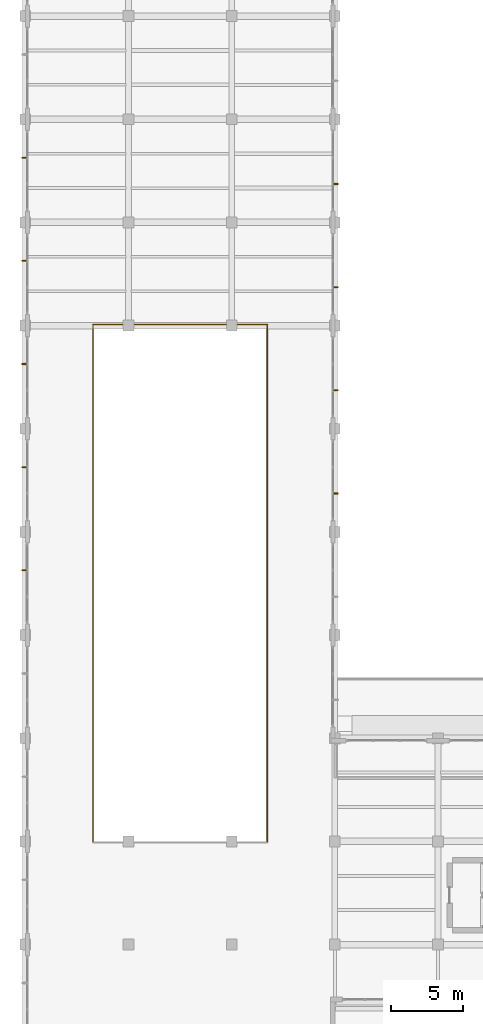
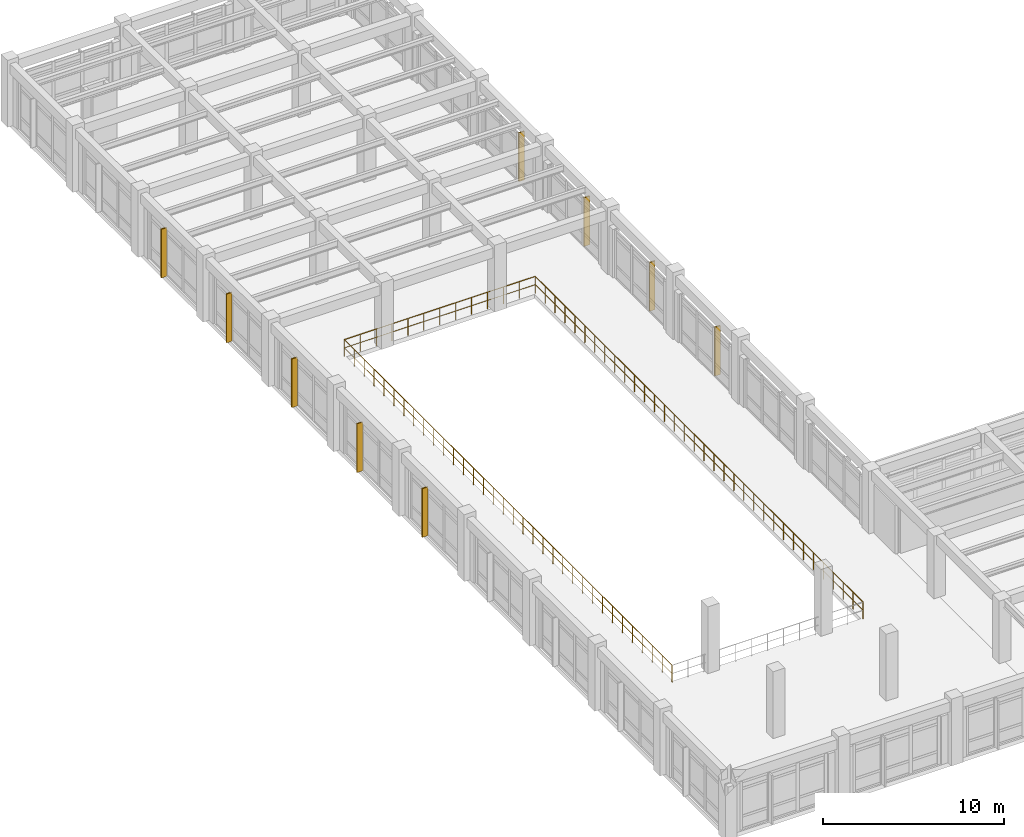
# One storey, part 57 of 64: 9 shading devices, 3 railings.
"""IFC4 building model written with IfcOpenShell, lengths in metres."""

from ifc_helpers import new_model, si_unit, direction, frame, origin, origin_2d, place, context, subcontext, project, spatial, rectangle, circle, extrude, material, material_profile, profile_set, type_object, element, save


model = new_model("IFC4")

# Units and contexts
model_context = context("Model", 3, precision=1e-05, world=origin(), true_north=direction((0.0, 1.0)))
body_context = subcontext(model_context, "Body", "Model", "MODEL_VIEW")
ifc_project = project(units=[si_unit("LENGTHUNIT", "METRE"), si_unit("AREAUNIT", "SQUARE_METRE"), si_unit("VOLUMEUNIT", "CUBIC_METRE"), si_unit("PLANEANGLEUNIT", "RADIAN"), si_unit("MASSUNIT", "GRAM", prefix="KILO")], contexts=[model_context])

# Site, building, storey
site_placement = place(None, origin())
site = spatial("IfcSite", under=ifc_project, at=site_placement, CompositionType="ELEMENT")
building_placement = place(site_placement, origin())
building = spatial("IfcBuilding", under=site, at=building_placement, Name="Solenvale Faculty of Natural Sciences", CompositionType="ELEMENT")
storey_placement = place(building_placement, frame((0.0, 0.0, 18.0)))
storey = spatial("IfcBuildingStorey", under=building, at=storey_placement, Name="L04", CompositionType="ELEMENT", Elevation=18.0)

# Railings
ifc_material_1 = material(Name="Stainless steel Grade 304", Category="steel")
railing_type = type_object("IfcRailingType", Name="RL-GRD-ATR-1150", PredefinedType="GUARDRAIL", material=ifc_material_1)
railing_1_placement = place(storey_placement, frame((52.8798828125, 28.719970703125, 0.0)))
element("IfcRailing", 1, at=railing_1_placement, inside=storey, type_object=railing_type, Name="L04 Atrium Gallery Guardrail E", PredefinedType="GUARDRAIL", context=body_context, shape_type="SweptSolid", body=[
    extrude(circle(Radius=0.02392578125, at=origin_2d()), frame((0.0, 0.0, 1.1357421875), z_axis=(0.0, 1.0, 0.0), x_axis=(-1.0, 0.0, 0.0)), (0.0, 0.0, 1.0), 36.159912109375),
    extrude(circle(Radius=0.01611328125, at=origin_2d()), frame((0.0, 0.0, 0.580078125), z_axis=(0.0, 1.0, 0.0), x_axis=(-1.0, 0.0, 0.0)), (0.0, 0.0, 1.0), 36.159912109375),
    extrude(circle(Radius=0.02099609375, at=origin_2d()), origin(), (0.0, 0.0, 1.0), 1.11181640625),
    extrude(circle(Radius=0.02099609375, at=origin_2d()), frame((0.0, 1.095703125, 0.0)), (0.0, 0.0, 1.0), 1.11181640625),
    extrude(circle(Radius=0.02099609375, at=origin_2d()), frame((0.0, 2.19140625, 0.0)), (0.0, 0.0, 1.0), 1.11181640625),
    extrude(circle(Radius=0.02099609375, at=origin_2d()), frame((0.0, 3.287353515625, 0.0)), (0.0, 0.0, 1.0), 1.11181640625),
    extrude(circle(Radius=0.02099609375, at=origin_2d()), frame((0.0, 4.383056640625, 0.0)), (0.0, 0.0, 1.0), 1.11181640625),
    extrude(circle(Radius=0.02099609375, at=origin_2d()), frame((0.0, 5.478759765625, 0.0)), (0.0, 0.0, 1.0), 1.11181640625),
    extrude(circle(Radius=0.02099609375, at=origin_2d()), frame((0.0, 6.574462890625, 0.0)), (0.0, 0.0, 1.0), 1.11181640625),
    extrude(circle(Radius=0.02099609375, at=origin_2d()), frame((0.0, 7.670166015625, 0.0)), (0.0, 0.0, 1.0), 1.11181640625),
    extrude(circle(Radius=0.02099609375, at=origin_2d()), frame((0.0, 8.76611328125, 0.0)), (0.0, 0.0, 1.0), 1.11181640625),
    extrude(circle(Radius=0.02099609375, at=origin_2d()), frame((0.0, 9.86181640625, 0.0)), (0.0, 0.0, 1.0), 1.11181640625),
    extrude(circle(Radius=0.02099609375, at=origin_2d()), frame((0.0, 10.95751953125, 0.0)), (0.0, 0.0, 1.0), 1.11181640625),
    extrude(circle(Radius=0.02099609375, at=origin_2d()), frame((0.0, 12.05322265625, 0.0)), (0.0, 0.0, 1.0), 1.11181640625),
    extrude(circle(Radius=0.02099609375, at=origin_2d()), frame((0.0, 13.149169921875, 0.0)), (0.0, 0.0, 1.0), 1.11181640625),
    extrude(circle(Radius=0.02099609375, at=origin_2d()), frame((0.0, 14.244873046875, 0.0)), (0.0, 0.0, 1.0), 1.11181640625),
    extrude(circle(Radius=0.02099609375, at=origin_2d()), frame((0.0, 15.340576171875, 0.0)), (0.0, 0.0, 1.0), 1.11181640625),
    extrude(circle(Radius=0.02099609375, at=origin_2d()), frame((0.0, 16.436279296875, 0.0)), (0.0, 0.0, 1.0), 1.11181640625),
    extrude(circle(Radius=0.02099609375, at=origin_2d()), frame((0.0, 17.531982421875, 0.0)), (0.0, 0.0, 1.0), 1.11181640625),
    extrude(circle(Radius=0.02099609375, at=origin_2d()), frame((0.0, 18.6279296875, 0.0)), (0.0, 0.0, 1.0), 1.11181640625),
    extrude(circle(Radius=0.02099609375, at=origin_2d()), frame((0.0, 19.7236328125, 0.0)), (0.0, 0.0, 1.0), 1.11181640625),
    extrude(circle(Radius=0.02099609375, at=origin_2d()), frame((0.0, 20.8193359375, 0.0)), (0.0, 0.0, 1.0), 1.11181640625),
    extrude(circle(Radius=0.02099609375, at=origin_2d()), frame((0.0, 21.9150390625, 0.0)), (0.0, 0.0, 1.0), 1.11181640625),
    extrude(circle(Radius=0.02099609375, at=origin_2d()), frame((0.0, 23.0107421875, 0.0)), (0.0, 0.0, 1.0), 1.11181640625),
    extrude(circle(Radius=0.02099609375, at=origin_2d()), frame((0.0, 24.106689453125, 0.0)), (0.0, 0.0, 1.0), 1.11181640625),
    extrude(circle(Radius=0.02099609375, at=origin_2d()), frame((0.0, 25.202392578125, 0.0)), (0.0, 0.0, 1.0), 1.11181640625),
    extrude(circle(Radius=0.02099609375, at=origin_2d()), frame((0.0, 26.298095703125, 0.0)), (0.0, 0.0, 1.0), 1.11181640625),
    extrude(circle(Radius=0.02099609375, at=origin_2d()), frame((0.0, 27.393798828125, 0.0)), (0.0, 0.0, 1.0), 1.11181640625),
    extrude(circle(Radius=0.02099609375, at=origin_2d()), frame((0.0, 28.48974609375, 0.0)), (0.0, 0.0, 1.0), 1.11181640625),
    extrude(circle(Radius=0.02099609375, at=origin_2d()), frame((0.0, 29.58544921875, 0.0)), (0.0, 0.0, 1.0), 1.11181640625),
    extrude(circle(Radius=0.02099609375, at=origin_2d()), frame((0.0, 30.68115234375, 0.0)), (0.0, 0.0, 1.0), 1.11181640625),
    extrude(circle(Radius=0.02099609375, at=origin_2d()), frame((0.0, 31.77685546875, 0.0)), (0.0, 0.0, 1.0), 1.11181640625),
    extrude(circle(Radius=0.02099609375, at=origin_2d()), frame((0.0, 32.87255859375, 0.0)), (0.0, 0.0, 1.0), 1.11181640625),
    extrude(circle(Radius=0.02099609375, at=origin_2d()), frame((0.0, 33.968505859375, 0.0)), (0.0, 0.0, 1.0), 1.11181640625),
    extrude(circle(Radius=0.02099609375, at=origin_2d()), frame((0.0, 35.064208984375, 0.0)), (0.0, 0.0, 1.0), 1.11181640625),
    extrude(circle(Radius=0.02099609375, at=origin_2d()), frame((0.0, 36.159912109375, 0.0)), (0.0, 0.0, 1.0), 1.11181640625),
])
railing_2_placement = place(storey_placement, frame((52.8798828125, 64.8798828125, 0.0)))
element("IfcRailing", 2, at=railing_2_placement, inside=storey, type_object=railing_type, Name="L04 Atrium Gallery Guardrail N", PredefinedType="GUARDRAIL", context=body_context, shape_type="SweptSolid", body=[
    extrude(circle(Radius=0.02392578125, at=origin_2d()), frame((0.0, 0.0, 1.1357421875), z_axis=(-1.0, 0.0, 0.0), x_axis=(0.0, -1.0, 0.0)), (0.0, 0.0, 1.0), 12.159912109375),
    extrude(circle(Radius=0.01611328125, at=origin_2d()), frame((0.0, 0.0, 0.580078125), z_axis=(-1.0, 0.0, 0.0), x_axis=(0.0, -1.0, 0.0)), (0.0, 0.0, 1.0), 12.159912109375),
    extrude(circle(Radius=0.02099609375, at=origin_2d()), origin(), (0.0, 0.0, 1.0), 1.11181640625),
    extrude(circle(Radius=0.02099609375, at=origin_2d()), frame((-1.013427734375, 0.0, 0.0)), (0.0, 0.0, 1.0), 1.11181640625),
    extrude(circle(Radius=0.02099609375, at=origin_2d()), frame((-2.026611328125, 0.0, 0.0)), (0.0, 0.0, 1.0), 1.11181640625),
    extrude(circle(Radius=0.02099609375, at=origin_2d()), frame((-3.0400390625, 0.0, 0.0)), (0.0, 0.0, 1.0), 1.11181640625),
    extrude(circle(Radius=0.02099609375, at=origin_2d()), frame((-4.05322265625, 0.0, 0.0)), (0.0, 0.0, 1.0), 1.11181640625),
    extrude(circle(Radius=0.02099609375, at=origin_2d()), frame((-5.066650390625, 0.0, 0.0)), (0.0, 0.0, 1.0), 1.11181640625),
    extrude(circle(Radius=0.02099609375, at=origin_2d()), frame((-6.080078125, 0.0, 0.0)), (0.0, 0.0, 1.0), 1.11181640625),
    extrude(circle(Radius=0.02099609375, at=origin_2d()), frame((-7.09326171875, 0.0, 0.0)), (0.0, 0.0, 1.0), 1.11181640625),
    extrude(circle(Radius=0.02099609375, at=origin_2d()), frame((-8.106689453125, 0.0, 0.0)), (0.0, 0.0, 1.0), 1.11181640625),
    extrude(circle(Radius=0.02099609375, at=origin_2d()), frame((-9.119873046875, 0.0, 0.0)), (0.0, 0.0, 1.0), 1.11181640625),
    extrude(circle(Radius=0.02099609375, at=origin_2d()), frame((-10.13330078125, 0.0, 0.0)), (0.0, 0.0, 1.0), 1.11181640625),
    extrude(circle(Radius=0.02099609375, at=origin_2d()), frame((-11.146484375, 0.0, 0.0)), (0.0, 0.0, 1.0), 1.11181640625),
    extrude(circle(Radius=0.02099609375, at=origin_2d()), frame((-12.159912109375, 0.0, 0.0)), (0.0, 0.0, 1.0), 1.11181640625),
])
railing_3_placement = place(storey_placement, frame((40.719970703125, 64.8798828125, 0.0)))
element("IfcRailing", 3, at=railing_3_placement, inside=storey, type_object=railing_type, Name="L04 Atrium Gallery Guardrail W", PredefinedType="GUARDRAIL", context=body_context, shape_type="SweptSolid", body=[
    extrude(circle(Radius=0.02392578125, at=origin_2d()), frame((0.0, 0.0, 1.1357421875), z_axis=(0.0, -1.0, 0.0), x_axis=(1.0, 0.0, 0.0)), (0.0, 0.0, 1.0), 36.159912109375),
    extrude(circle(Radius=0.01611328125, at=origin_2d()), frame((0.0, 0.0, 0.580078125), z_axis=(0.0, -1.0, 0.0), x_axis=(1.0, 0.0, 0.0)), (0.0, 0.0, 1.0), 36.159912109375),
    extrude(circle(Radius=0.02099609375, at=origin_2d()), origin(), (0.0, 0.0, 1.0), 1.11181640625),
    extrude(circle(Radius=0.02099609375, at=origin_2d()), frame((0.0, -1.095703125, 0.0)), (0.0, 0.0, 1.0), 1.11181640625),
    extrude(circle(Radius=0.02099609375, at=origin_2d()), frame((0.0, -2.19140625, 0.0)), (0.0, 0.0, 1.0), 1.11181640625),
    extrude(circle(Radius=0.02099609375, at=origin_2d()), frame((0.0, -3.287353515625, 0.0)), (0.0, 0.0, 1.0), 1.11181640625),
    extrude(circle(Radius=0.02099609375, at=origin_2d()), frame((0.0, -4.383056640625, 0.0)), (0.0, 0.0, 1.0), 1.11181640625),
    extrude(circle(Radius=0.02099609375, at=origin_2d()), frame((0.0, -5.478759765625, 0.0)), (0.0, 0.0, 1.0), 1.11181640625),
    extrude(circle(Radius=0.02099609375, at=origin_2d()), frame((0.0, -6.574462890625, 0.0)), (0.0, 0.0, 1.0), 1.11181640625),
    extrude(circle(Radius=0.02099609375, at=origin_2d()), frame((0.0, -7.670166015625, 0.0)), (0.0, 0.0, 1.0), 1.11181640625),
    extrude(circle(Radius=0.02099609375, at=origin_2d()), frame((0.0, -8.76611328125, 0.0)), (0.0, 0.0, 1.0), 1.11181640625),
    extrude(circle(Radius=0.02099609375, at=origin_2d()), frame((0.0, -9.86181640625, 0.0)), (0.0, 0.0, 1.0), 1.11181640625),
    extrude(circle(Radius=0.02099609375, at=origin_2d()), frame((0.0, -10.95751953125, 0.0)), (0.0, 0.0, 1.0), 1.11181640625),
    extrude(circle(Radius=0.02099609375, at=origin_2d()), frame((0.0, -12.05322265625, 0.0)), (0.0, 0.0, 1.0), 1.11181640625),
    extrude(circle(Radius=0.02099609375, at=origin_2d()), frame((0.0, -13.149169921875, 0.0)), (0.0, 0.0, 1.0), 1.11181640625),
    extrude(circle(Radius=0.02099609375, at=origin_2d()), frame((0.0, -14.244873046875, 0.0)), (0.0, 0.0, 1.0), 1.11181640625),
    extrude(circle(Radius=0.02099609375, at=origin_2d()), frame((0.0, -15.340576171875, 0.0)), (0.0, 0.0, 1.0), 1.11181640625),
    extrude(circle(Radius=0.02099609375, at=origin_2d()), frame((0.0, -16.436279296875, 0.0)), (0.0, 0.0, 1.0), 1.11181640625),
    extrude(circle(Radius=0.02099609375, at=origin_2d()), frame((0.0, -17.531982421875, 0.0)), (0.0, 0.0, 1.0), 1.11181640625),
    extrude(circle(Radius=0.02099609375, at=origin_2d()), frame((0.0, -18.6279296875, 0.0)), (0.0, 0.0, 1.0), 1.11181640625),
    extrude(circle(Radius=0.02099609375, at=origin_2d()), frame((0.0, -19.7236328125, 0.0)), (0.0, 0.0, 1.0), 1.11181640625),
    extrude(circle(Radius=0.02099609375, at=origin_2d()), frame((0.0, -20.8193359375, 0.0)), (0.0, 0.0, 1.0), 1.11181640625),
    extrude(circle(Radius=0.02099609375, at=origin_2d()), frame((0.0, -21.9150390625, 0.0)), (0.0, 0.0, 1.0), 1.11181640625),
    extrude(circle(Radius=0.02099609375, at=origin_2d()), frame((0.0, -23.0107421875, 0.0)), (0.0, 0.0, 1.0), 1.11181640625),
    extrude(circle(Radius=0.02099609375, at=origin_2d()), frame((0.0, -24.106689453125, 0.0)), (0.0, 0.0, 1.0), 1.11181640625),
    extrude(circle(Radius=0.02099609375, at=origin_2d()), frame((0.0, -25.202392578125, 0.0)), (0.0, 0.0, 1.0), 1.11181640625),
    extrude(circle(Radius=0.02099609375, at=origin_2d()), frame((0.0, -26.298095703125, 0.0)), (0.0, 0.0, 1.0), 1.11181640625),
    extrude(circle(Radius=0.02099609375, at=origin_2d()), frame((0.0, -27.393798828125, 0.0)), (0.0, 0.0, 1.0), 1.11181640625),
    extrude(circle(Radius=0.02099609375, at=origin_2d()), frame((0.0, -28.48974609375, 0.0)), (0.0, 0.0, 1.0), 1.11181640625),
    extrude(circle(Radius=0.02099609375, at=origin_2d()), frame((0.0, -29.58544921875, 0.0)), (0.0, 0.0, 1.0), 1.11181640625),
    extrude(circle(Radius=0.02099609375, at=origin_2d()), frame((0.0, -30.68115234375, 0.0)), (0.0, 0.0, 1.0), 1.11181640625),
    extrude(circle(Radius=0.02099609375, at=origin_2d()), frame((0.0, -31.77685546875, 0.0)), (0.0, 0.0, 1.0), 1.11181640625),
    extrude(circle(Radius=0.02099609375, at=origin_2d()), frame((0.0, -32.87255859375, 0.0)), (0.0, 0.0, 1.0), 1.11181640625),
    extrude(circle(Radius=0.02099609375, at=origin_2d()), frame((0.0, -33.968505859375, 0.0)), (0.0, 0.0, 1.0), 1.11181640625),
    extrude(circle(Radius=0.02099609375, at=origin_2d()), frame((0.0, -35.064208984375, 0.0)), (0.0, 0.0, 1.0), 1.11181640625),
    extrude(circle(Radius=0.02099609375, at=origin_2d()), frame((0.0, -36.159912109375, 0.0)), (0.0, 0.0, 1.0), 1.11181640625),
])

# Shading devices
ifc_material_2 = material(Name="Anodised bronze aluminium", Category="aluminium")
ifc_material_profile = material_profile(ifc_material_2, rectangle(XDim=0.080078125, YDim=0.360107421875, at=origin_2d()), Name="ALU-FIN-80x360")
ifc_profile_set = profile_set([ifc_material_profile], Name="Anodised bronze aluminium")
shading_device_type = type_object("IfcShadingDeviceType", Name="SHD-FIN-360", PredefinedType="JALOUSIE", material=ifc_profile_set)
for number, where, z_axis, x_axis, name in (
    (4, (57.659912109375, 53.083251953125, -0.02001953125), (0.0, 0.0, 1.0), (0.0, 1.0, 0.0), "L04 Vertical Brise-Soleil Fin 1.3"),
    (5, (57.659912109375, 60.283447265625, -0.02001953125), (0.0, 0.0, 1.0), (0.0, 1.0, 0.0), "L04 Vertical Brise-Soleil Fin 1.4"),
    (6, (57.659912109375, 67.4833984375, -0.02001953125), (0.0, 0.0, 1.0), (0.0, 1.0, 0.0), "L04 Vertical Brise-Soleil Fin 1.5"),
    (7, (57.659912109375, 74.683349609375, -0.02001953125), (0.0, 0.0, 1.0), (0.0, 1.0, 0.0), "L04 Vertical Brise-Soleil Fin 1.6"),
    (8, (35.93994140625, 76.5166015625, -0.02001953125), (0.0, 0.0, 1.0), (0.0, 1.0, 0.0), "L04 Vertical Brise-Soleil Fin 3.3"),
    (9, (35.93994140625, 69.316650390625, -0.02001953125), (0.0, 0.0, 1.0), (0.0, 1.0, 0.0), "L04 Vertical Brise-Soleil Fin 3.4"),
    (10, (35.93994140625, 62.11669921875, -0.02001953125), (0.0, 0.0, 1.0), (0.0, 1.0, 0.0), "L04 Vertical Brise-Soleil Fin 3.5"),
    (11, (35.93994140625, 54.916748046875, -0.02001953125), (0.0, 0.0, 1.0), (0.0, 1.0, 0.0), "L04 Vertical Brise-Soleil Fin 3.6"),
    (12, (35.93994140625, 47.716552734375, -0.02001953125), (0.0, 0.0, 1.0), (0.0, 1.0, 0.0), "L04 Vertical Brise-Soleil Fin 3.7"),
):
    element("IfcShadingDevice", number, at=place(storey_placement, frame(where, z_axis=z_axis, x_axis=x_axis)), inside=storey, type_object=shading_device_type, Name=name, PredefinedType="JALOUSIE", context=body_context, shape_type="SweptSolid", body=[
        extrude(rectangle(XDim=0.080078125, YDim=0.360107421875, at=origin_2d()), origin(), (0.0, 0.0, 1.0), 3.280029296875),
    ])

save(model, "model.ifc")
